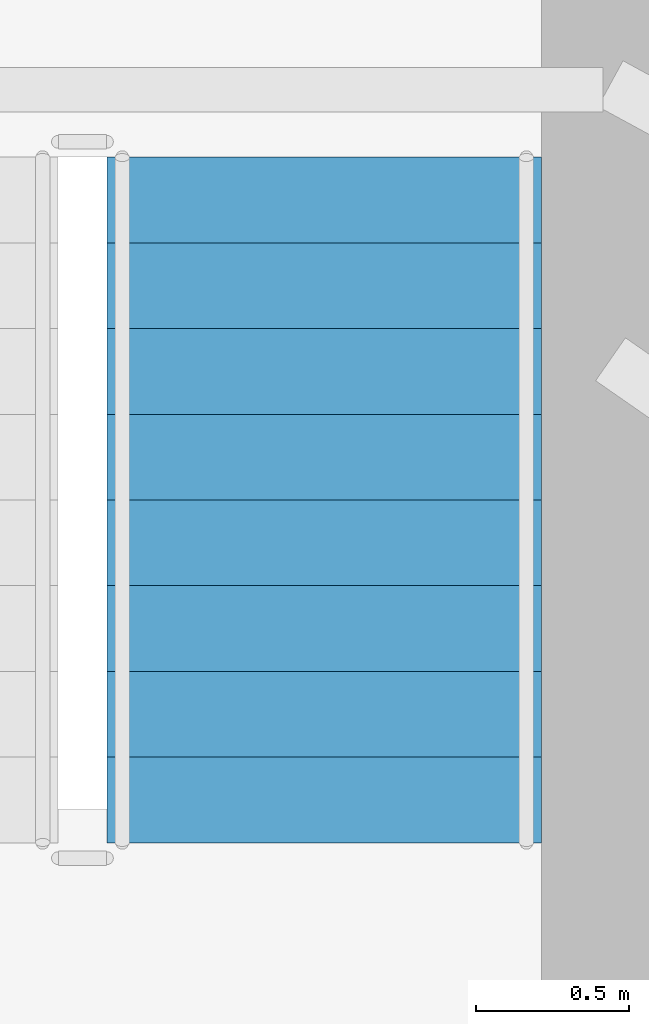
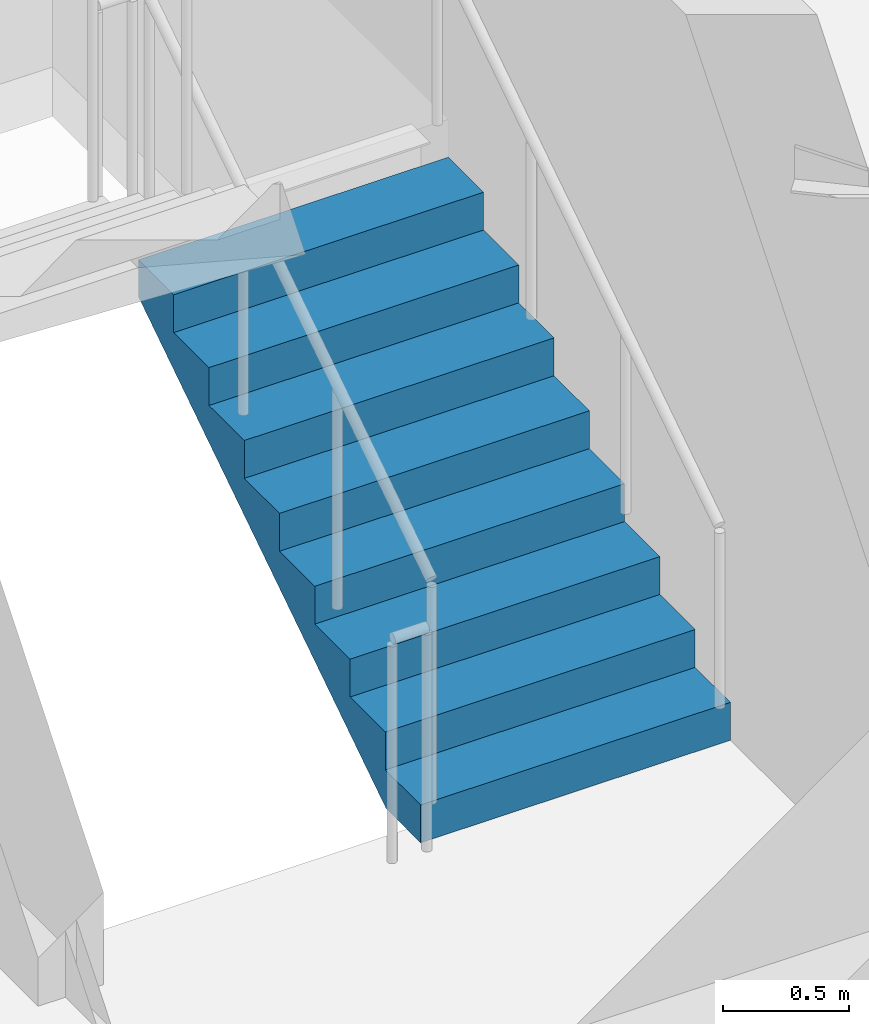
# One storey, part 30 of 33: 1 stair flight, 1 element without a shape of its own.
"""IFC4 building model written with IfcOpenShell, lengths in metres."""

from ifc_helpers import new_model, si_unit, direction, frame, origin, place, context, subcontext, project, spatial, polyline, outline, extrude, material, type_object, element, aggregate, save


model = new_model("IFC4")

# Units and contexts
model_context = context("Model", 3, precision=1e-05, world=origin(), true_north=direction((0.0, 1.0)))
body_context = subcontext(model_context, "Body", "Model", "MODEL_VIEW")
ifc_project = project(units=[si_unit("LENGTHUNIT", "METRE"), si_unit("AREAUNIT", "SQUARE_METRE"), si_unit("VOLUMEUNIT", "CUBIC_METRE"), si_unit("PLANEANGLEUNIT", "RADIAN"), si_unit("MASSUNIT", "GRAM", prefix="KILO")], contexts=[model_context])

# Site, building, storey
site_placement = place(None, origin())
site = spatial("IfcSite", under=ifc_project, at=site_placement, CompositionType="ELEMENT")
building_placement = place(site_placement, origin())
building = spatial("IfcBuilding", under=site, at=building_placement, Name="Orvanel Arch Residences", CompositionType="ELEMENT")
storey_placement = place(building_placement, frame((0.0, 0.0, 90.64990234375)))
storey = spatial("IfcBuildingStorey", under=building, at=storey_placement, Name="L25", CompositionType="ELEMENT", Elevation=90.64990234375)

# Stair, stair flight
ifc_material = material(Name="Precast concrete N50 (50 MPa)", Category="concrete")
stair_type = type_object("IfcStairType", Name="STR-DOG-184", PredefinedType="USERDEFINED", material=ifc_material)
stair_placement = place(storey_placement, origin())
stair = element("IfcStair", 1, at=stair_placement, inside=storey, type_object=stair_type, Name="L25 Fire-Isolated Core Exit Stair 2", ObjectType="TWO_RETURN_STAIR", PredefinedType="USERDEFINED")
stair_flight_type = type_object("IfcStairFlightType", Name="SFL-C2-184", PredefinedType="STRAIGHT", material=ifc_material)
stair_flight_placement = place(storey_placement, frame((38.68994140625, 28.320068359375, 0.0), z_axis=(0.0, 0.0, 1.0), x_axis=(0.0, 1.0, 0.0)))
stair_flight = element("IfcStairFlight", 2, at=stair_flight_placement, type_object=stair_flight_type, Name="ST-2 flight 1", NumberOfRisers=9, NumberOfTreads=8, PredefinedType="STRAIGHT", RiserHeight=0.183333333, TreadLength=0.28, context=body_context, shape_type="SweptSolid", body=[
    extrude(outline(polyline([(0.0, 0.0), (0.0, 0.183349609375), (0.280029296875, 0.183349609375), (0.280029296875, 0.36669921875), (0.56005859375, 0.36669921875), (0.56005859375, 0.550048828125), (0.840087890625, 0.550048828125), (0.840087890625, 0.7333984375), (1.1201171875, 0.7333984375), (1.1201171875, 0.916748046875), (1.39990234375, 0.916748046875), (1.39990234375, 1.10009765625), (1.679931640625, 1.10009765625), (1.679931640625, 1.283447265625), (1.9599609375, 1.283447265625), (1.9599609375, 1.466552734375), (2.239990234375, 1.466552734375), (2.239990234375, 1.64990234375), (2.239990234375, 1.28759765625), (0.273681640625, 0.0), (0.0, 0.0)])), frame((0.0, 0.7099609375, 0.0), z_axis=(0.0, -1.0, 0.0), x_axis=(1.0, 0.0, 0.0)), (0.0, 0.0, 1.0), 1.419921875),
])
aggregate(stair, [stair_flight])

save(model, "model.ifc")
